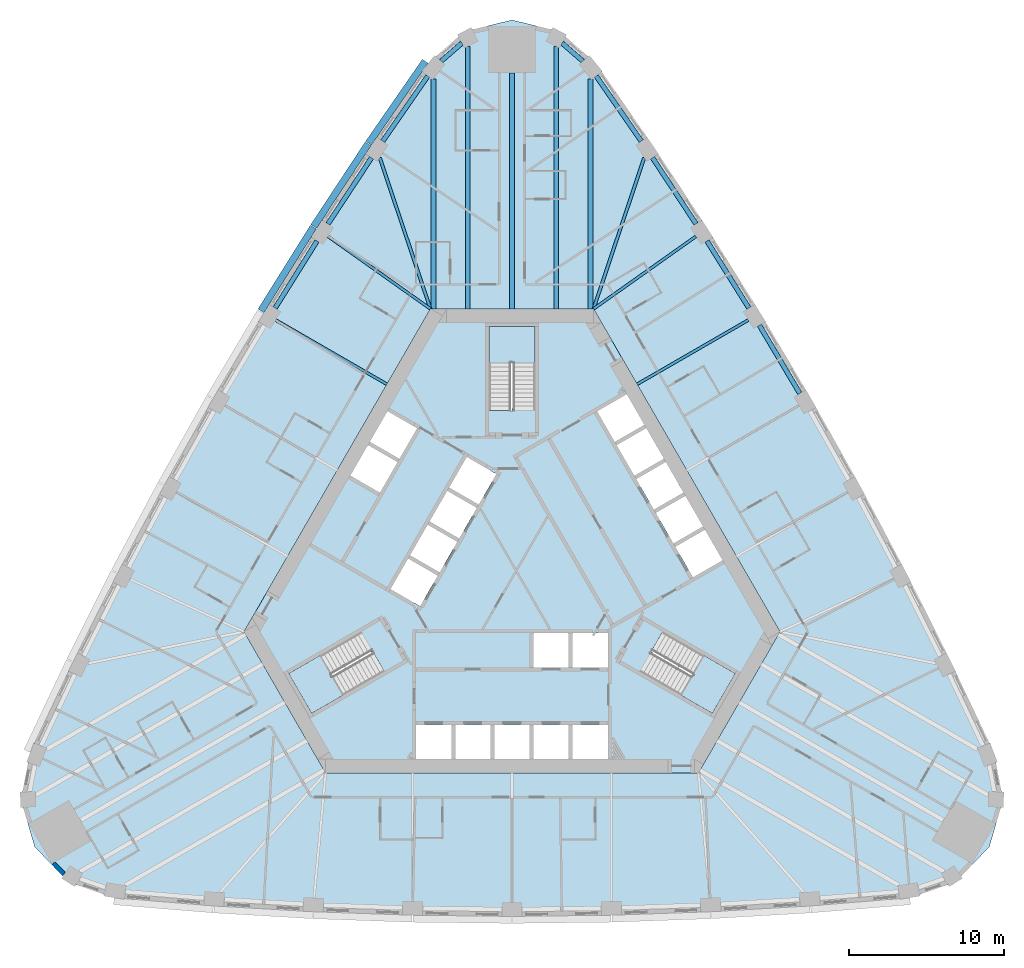
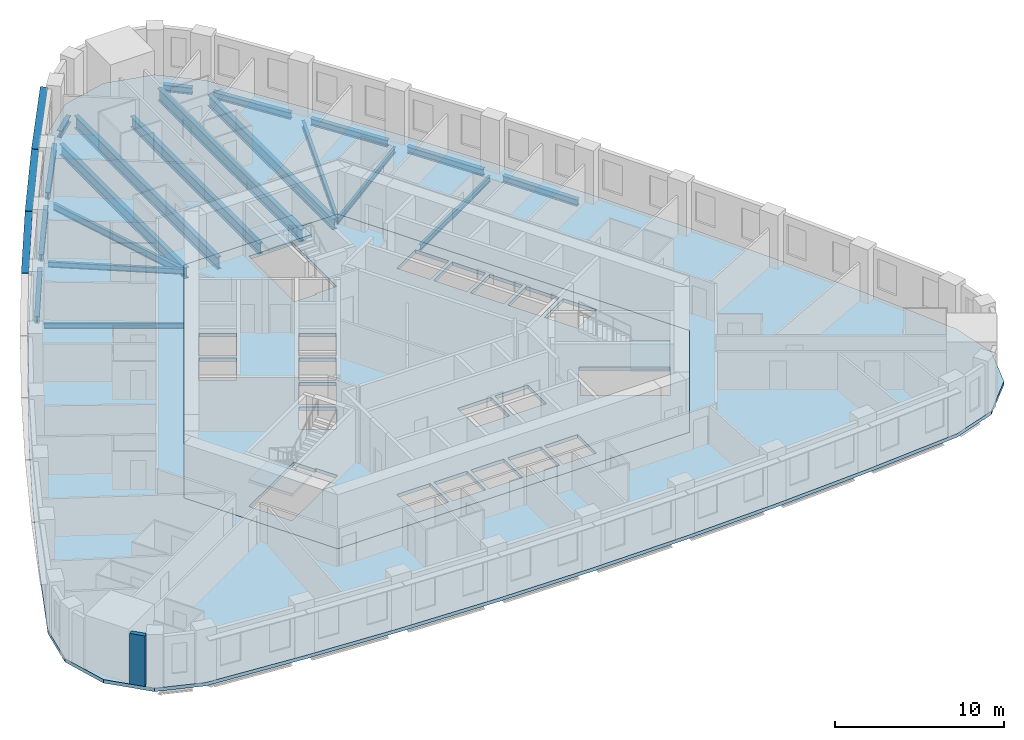
# One storey, part 2 of 13: 20 beams, 5 slabs, 3 members, 1 wall, 3 elements without a shape of their own.
"""IFC4 building model written with IfcOpenShell, lengths in metres."""

import ifcopenshell
import ifcopenshell.guid

model = None  # the IFC model being written
_history = None  # IfcOwnerHistory: only IFC2X3 demands one
_inside = {}  # id of a spatial element -> (the spatial element, [elements in it])
_under = {}  # id of a project, library or spatial element -> (it, [spatial elements below it])
_declared = {}  # id of a project -> (the project, [libraries it declares])
_typed = {}  # id of a type object -> (the type object, [elements of that type])
_made_of = {}  # id of a material, layer set ... -> (it, [elements and type objects made of it])


def new_model(schema):
    """Start an empty IFC model of exactly this schema.

    Asked for "IFC4X3", IfcOpenShell would pick the latest addendum, in which some entities
    have other attributes; the version numbers below select the first issue.
    IFC2X3 requires an IfcOwnerHistory on every rooted entity: one is made here for all.
    """
    global model, _history
    if schema == "IFC4X3":
        model = ifcopenshell.file(schema_version=(4, 3, 0, 0))
    else:
        model = ifcopenshell.file(schema=schema)
    _inside.clear()
    _under.clear()
    _declared.clear()
    _typed.clear()
    _made_of.clear()
    _history = None
    if model.schema == "IFC2X3":
        org = make("IfcOrganization", Name="unknown")
        user = make(
            "IfcPersonAndOrganization",
            ThePerson=make("IfcPerson", FamilyName="unknown"),
            TheOrganization=org,
        )
        app = make(
            "IfcApplication",
            ApplicationDeveloper=org,
            Version="unknown",
            ApplicationFullName="unknown",
            ApplicationIdentifier="unknown",
        )
        _history = make(
            "IfcOwnerHistory",
            OwningUser=user,
            OwningApplication=app,
            ChangeAction="ADDED",
            CreationDate=0,
        )
    return model


def make(cls, **values):
    """One entity of the class cls with the attributes given. An attribute that is None is left unset."""
    return model.create_entity(
        cls, **{name: value for name, value in values.items() if value is not None}
    )


def rooted(cls, **values):
    """An entity with a GlobalId (a new one), such as an element, a storey or a relation."""
    return make(cls, GlobalId=ifcopenshell.guid.new(), OwnerHistory=_history, **values)


def si_unit(unit_type, name, prefix=None):
    """IfcSIUnit, for example si_unit("LENGTHUNIT", "METRE", prefix="MILLI")."""
    return make("IfcSIUnit", UnitType=unit_type, Prefix=prefix, Name=name)


def assignment(units):
    """IfcUnitAssignment: the units of a project."""
    return None if units is None else make("IfcUnitAssignment", Units=units)


def point(xyz):
    """IfcCartesianPoint."""
    return None if xyz is None else make("IfcCartesianPoint", Coordinates=xyz)


def direction(xyz):
    """IfcDirection."""
    return None if xyz is None else make("IfcDirection", DirectionRatios=xyz)


def frame(location, z_axis=None, x_axis=None):
    """IfcAxis2Placement3D, a coordinate frame: its origin and axes. An axis left out is left unset."""
    return make(
        "IfcAxis2Placement3D",
        Location=point(location),
        Axis=direction(z_axis),
        RefDirection=direction(x_axis),
    )


def frame_2d(location, x_axis=None):
    """IfcAxis2Placement2D, a coordinate frame in the plane: its origin and x axis."""
    return make(
        "IfcAxis2Placement2D", Location=point(location), RefDirection=direction(x_axis)
    )


def origin():
    """The frame at (0, 0, 0) with its axes left unset."""
    return frame((0.0, 0.0, 0.0))


def origin_2d():
    """The frame at (0, 0) in the plane with its x axis left unset."""
    return frame_2d((0.0, 0.0))


def place(relative_to, where):
    """IfcLocalPlacement: puts the frame where relative to a parent placement (None: the world)."""
    return make(
        "IfcLocalPlacement", PlacementRelTo=relative_to, RelativePlacement=where
    )


def context(
    kind, dimensions, precision=None, world=None, true_north=None, identifier=None
):
    """IfcGeometricRepresentationContext, for example the 3D "Model" context."""
    return make(
        "IfcGeometricRepresentationContext",
        ContextIdentifier=identifier,
        ContextType=kind,
        CoordinateSpaceDimension=dimensions,
        Precision=precision,
        WorldCoordinateSystem=world,
        TrueNorth=true_north,
    )


def subcontext(parent, identifier, kind, view, scale=None):
    """IfcGeometricRepresentationSubContext, for example "Body" below "Model"."""
    return make(
        "IfcGeometricRepresentationSubContext",
        ContextIdentifier=identifier,
        ContextType=kind,
        ParentContext=parent,
        TargetScale=scale,
        TargetView=view,
    )


def project(units=None, contexts=None):
    """IfcProject with its units and contexts."""
    return rooted(
        "IfcProject",
        Name="project",
        RepresentationContexts=contexts,
        UnitsInContext=assignment(units),
    )


def spatial(cls, under=None, at=None, **own):
    """A site, building, storey or space (cls), placed at a placement, below another one or the project."""
    s = rooted(cls, ObjectPlacement=at, **own)
    if under is not None:
        _under.setdefault(under.id(), (under, []))[1].append(s)
    return s


def polyline(points):
    """IfcPolyline through the points."""
    return make("IfcPolyline", Points=[point(p) for p in points])


def profile(cls, at=None, kind="AREA", **sizes):
    """A parametric profile (cls). Its sizes go by their IFC names, for example OverallWidth=200.0."""
    return make(cls, ProfileType=kind, Position=at, **sizes)


def rectangle(**sizes):
    """IfcRectangleProfileDef."""
    return profile("IfcRectangleProfileDef", **sizes)


def i_section(**sizes):
    """IfcIShapeProfileDef."""
    return profile("IfcIShapeProfileDef", **sizes)


def outline(outer, holes=None, kind="AREA"):
    """IfcArbitraryClosedProfileDef: a profile drawn as a closed curve; with holes, ...WithVoids."""
    if holes is None:
        return make("IfcArbitraryClosedProfileDef", ProfileType=kind, OuterCurve=outer)
    return make(
        "IfcArbitraryProfileDefWithVoids",
        ProfileType=kind,
        OuterCurve=outer,
        InnerCurves=holes,
    )


def extrude(swept, where, along, depth):
    """IfcExtrudedAreaSolid: the profile swept, set in the frame where, extruded along a direction by depth."""
    return make(
        "IfcExtrudedAreaSolid",
        SweptArea=swept,
        Position=where,
        ExtrudedDirection=direction(along),
        Depth=depth,
    )


def shape(context_of_items, identifier, shape_type, items):
    """IfcShapeRepresentation: the items that make up one representation, for example the "Body"."""
    return make(
        "IfcShapeRepresentation",
        ContextOfItems=context_of_items,
        RepresentationIdentifier=identifier,
        RepresentationType=shape_type,
        Items=items,
    )


def material(Name=None, Category=None):
    """IfcMaterial."""
    return make("IfcMaterial", Name=Name, Category=Category)


def layer(
    of_material, thickness, ventilated=None, Name=None, Category=None, Priority=None
):
    """IfcMaterialLayer: one layer of a wall or slab, of a material (None: an air gap)."""
    return make(
        "IfcMaterialLayer",
        Material=of_material,
        LayerThickness=thickness,
        IsVentilated=ventilated,
        Name=Name,
        Category=Category,
        Priority=Priority,
    )


def layer_set(layers, Name=None):
    """IfcMaterialLayerSet."""
    return make("IfcMaterialLayerSet", MaterialLayers=layers, LayerSetName=Name)


def material_profile(
    of_material, cross_section, Name=None, Category=None, Priority=None
):
    """IfcMaterialProfile: a cross section and its material."""
    return make(
        "IfcMaterialProfile",
        Name=Name,
        Material=of_material,
        Profile=cross_section,
        Priority=Priority,
        Category=Category,
    )


def profile_set(profiles, Name=None, composite=None):
    """IfcMaterialProfileSet."""
    return make(
        "IfcMaterialProfileSet",
        Name=Name,
        MaterialProfiles=profiles,
        CompositeProfile=composite,
    )


def made_of(thing, what):
    """Note that an element or type object is made of a material, layer set ...; save() writes the relation."""
    if what is not None:
        _made_of.setdefault(what.id(), (what, []))[1].append(thing)
    return thing


def type_object(cls, material=None, **own):
    """A type object (cls), such as IfcWallType, which elements share."""
    return made_of(rooted(cls, **own), material)


def element(
    cls,
    number,
    at=None,
    inside=None,
    cuts=None,
    type_object=None,
    material=None,
    context=None,
    identifier="Body",
    shape_type=None,
    held_by="IfcProductDefinitionShape",
    body=None,
    shapes=None,
    **own,
):
    """One element of the class cls, such as IfcWall. Its Tag is "e" and its number.

    at: its placement. inside: the storey or other place that contains it. cuts: it is an
    opening in that element (IfcRelVoidsElement). A single representation is given by context,
    identifier, shape_type and body (its items); several are given by shapes. held_by: the class
    of the entity that holds the representations. save() writes the other relations.
    """
    e = rooted(cls, Tag="e%d" % number, ObjectPlacement=at, **own)
    if body is not None:
        shapes = [shape(context, identifier, shape_type, body)]
    if shapes is not None:
        e.Representation = make(held_by, Representations=shapes)
    if inside is not None:
        _inside.setdefault(inside.id(), (inside, []))[1].append(e)
    if cuts is not None:
        rooted(
            "IfcRelVoidsElement", RelatingBuildingElement=cuts, RelatedOpeningElement=e
        )
    if type_object is not None:
        _typed.setdefault(type_object.id(), (type_object, []))[1].append(e)
    return made_of(e, material)


def aggregate(whole, parts):
    """IfcRelAggregates: a whole, such as a stair, and the parts it consists of."""
    return rooted("IfcRelAggregates", RelatingObject=whole, RelatedObjects=parts)


def save(model, path):
    """Write the relations noted so far, then the file.

    IfcRelAggregates (storeys below a building ...), IfcRelContainedInSpatialStructure (elements
    in a storey), IfcRelDefinesByType, IfcRelAssociatesMaterial and IfcRelDeclares: one each for
    every whole, place, type object, material and project.
    """
    for whole, parts in _under.values():
        aggregate(whole, parts)
    for where, things in _inside.values():
        rooted(
            "IfcRelContainedInSpatialStructure",
            RelatedElements=things,
            RelatingStructure=where,
        )
    for kind, things in _typed.values():
        rooted("IfcRelDefinesByType", RelatedObjects=things, RelatingType=kind)
    for what, things in _made_of.values():
        rooted("IfcRelAssociatesMaterial", RelatedObjects=things, RelatingMaterial=what)
    for by, libraries in _declared.values():
        rooted("IfcRelDeclares", RelatingContext=by, RelatedDefinitions=libraries)
    model.write(path)


model = new_model("IFC4")

# Units and contexts
model_context = context("Model", 3, precision=1e-05, world=origin(), true_north=direction((0.0, 1.0)))
body_context = subcontext(model_context, "Body", "Model", "MODEL_VIEW")
ifc_project = project(units=[si_unit("LENGTHUNIT", "METRE"), si_unit("AREAUNIT", "SQUARE_METRE"), si_unit("VOLUMEUNIT", "CUBIC_METRE"), si_unit("PLANEANGLEUNIT", "RADIAN"), si_unit("MASSUNIT", "GRAM", prefix="KILO")], contexts=[model_context])

# Site, building, storey
site_placement = place(None, origin())
site = spatial("IfcSite", under=ifc_project, at=site_placement, CompositionType="ELEMENT")
building_placement = place(site_placement, origin())
building = spatial("IfcBuilding", under=site, at=building_placement, Name="Mestral Congress Tower", CompositionType="ELEMENT")
storey_placement = place(building_placement, frame((0.0, 0.0, 114.89990234375)))
storey = spatial("IfcBuildingStorey", under=building, at=storey_placement, Name="L27", CompositionType="ELEMENT", Elevation=114.89990234375)

# Members
ifc_material_1 = material(Name="Glazed ceramic", Category="masonry")
ifc_material_profile_1 = material_profile(ifc_material_1, rectangle(XDim=0.449951171875, YDim=0.06005859375, at=origin_2d()), Name="Ceramic blade 450 x 60")
ifc_profile_set_1 = profile_set([ifc_material_profile_1], Name="Glazed ceramic")
member_type = type_object("IfcMemberType", Name="Facade sunshade blade 450 x 60", PredefinedType="USERDEFINED", material=ifc_profile_set_1)
member_placement = place(storey_placement, frame((-5.590576171875, 32.8505859375, 3.280029296875), z_axis=(-0.569144736399, -0.822237355652, 0.0), x_axis=(0.822237355652, -0.569144736399, 0.0)))
element("IfcMember", 1, at=member_placement, inside=storey, type_object=member_type, Name="Sunshade F2-00", ObjectType="SUNSHADE", PredefinedType="USERDEFINED", context=body_context, shape_type="SweptSolid", body=[
    extrude(rectangle(XDim=0.449951171875, YDim=0.06005859375, at=origin_2d()), origin(), (0.0, 0.0, 1.0), 6.421630859375),
])
for number, where, z_axis, x_axis, name in (
    (2, (-9.2705078125, 27.532958984375, 3.280029296875), (-0.549764307833, -0.835319822483, 0.0), (0.835319822483, -0.549764307833, 0.0), "Sunshade F2-01"),
    (3, (-12.797119140625, 22.173583984375, 3.280029296875), (-0.530060946156, -0.847959547007, 0.0), (0.847959547007, -0.530060946156, 0.0), "Sunshade F2-02"),
):
    element("IfcMember", number, at=place(storey_placement, frame(where, z_axis=z_axis, x_axis=x_axis)), inside=storey, type_object=member_type, Name=name, ObjectType="SUNSHADE", PredefinedType="USERDEFINED", context=body_context, shape_type="SweptSolid", body=[
        extrude(rectangle(XDim=0.449951171875, YDim=0.06005859375, at=origin_2d()), origin(), (0.0, 0.0, 1.0), 6.370361328125),
    ])

# Beams
ifc_material_2 = material(Name="Steel S355", Category="steel")
ifc_material_profile_2 = material_profile(ifc_material_2, i_section(OverallWidth=0.300048828125, OverallDepth=0.800048828125, WebThickness=0.017578125, FlangeThickness=0.032958984375, FilletRadius=0.030029296875, at=origin_2d()), Name="HEB 800")
ifc_profile_set_2 = profile_set([ifc_material_profile_2], Name="Steel S355")
beam_type_1 = type_object("IfcBeamType", Name="Floor beam HEB 800 S355", PredefinedType="BEAM", material=ifc_profile_set_2)
beam_1_placement = place(storey_placement, frame((5.056396484375, 31.72412109375, -0.64990234375), z_axis=(0.0, -1.0, 0.0), x_axis=(1.0, 0.0, 0.0)))
element("IfcBeam", 4, at=beam_1_placement, inside=storey, type_object=beam_type_1, Name="BM-L27-RB2-E08", PredefinedType="BEAM", context=body_context, shape_type="SweptSolid", body=[
    extrude(i_section(OverallWidth=0.300048828125, OverallDepth=0.800048828125, WebThickness=0.017578125, FlangeThickness=0.032958984375, FilletRadius=0.030029296875, at=origin_2d()), origin(), (0.0, 0.0, 1.0), 14.82421875),
])
beam_2_placement = place(storey_placement, frame((0.0, 32.098388671875, -0.64990234375), z_axis=(0.0, -1.0, 0.0), x_axis=(1.0, 0.0, 0.0)))
element("IfcBeam", 5, at=beam_2_placement, inside=storey, type_object=beam_type_1, Name="BM-L27-RB2-N", PredefinedType="BEAM", context=body_context, shape_type="SweptSolid", body=[
    extrude(i_section(OverallWidth=0.300048828125, OverallDepth=0.800048828125, WebThickness=0.017578125, FlangeThickness=0.032958984375, FilletRadius=0.030029296875, at=origin_2d()), origin(), (0.0, 0.0, 1.0), 15.198486328125),
])
beam_3_placement = place(storey_placement, frame((-5.056396484375, 31.72412109375, -0.64990234375), z_axis=(0.0, -1.0, 0.0), x_axis=(1.0, 0.0, 0.0)))
element("IfcBeam", 6, at=beam_3_placement, inside=storey, type_object=beam_type_1, Name="BM-L27-RB2-W00", PredefinedType="BEAM", context=body_context, shape_type="SweptSolid", body=[
    extrude(i_section(OverallWidth=0.300048828125, OverallDepth=0.800048828125, WebThickness=0.017578125, FlangeThickness=0.032958984375, FilletRadius=0.030029296875, at=origin_2d()), origin(), (0.0, 0.0, 1.0), 14.82421875),
])
ifc_material_profile_3 = material_profile(ifc_material_2, i_section(OverallWidth=0.300048828125, OverallDepth=0.89990234375, WebThickness=0.0185546875, FlangeThickness=0.034912109375, FilletRadius=0.030029296875, at=origin_2d()), Name="HEB 900")
ifc_profile_set_3 = profile_set([ifc_material_profile_3], Name="Steel S355")
beam_type_2 = type_object("IfcBeamType", Name="Floor beam HEB 900 S355", PredefinedType="BEAM", material=ifc_profile_set_3)
for number, where, z_axis, x_axis, name in (
    (7, (2.845703125, 33.794189453125, -0.699951171875), (0.0, -1.0, 0.0), (1.0, 0.0, 0.0), "BM-L27-RB2-N1"),
    (8, (-2.845703125, 33.794189453125, -0.699951171875), (0.0, -1.0, 0.0), (1.0, 0.0, 0.0), "BM-L27-RB2-N3"),
):
    element("IfcBeam", number, at=place(storey_placement, frame(where, z_axis=z_axis, x_axis=x_axis)), inside=storey, type_object=beam_type_2, Name=name, PredefinedType="BEAM", context=body_context, shape_type="SweptSolid", body=[
        extrude(i_section(OverallWidth=0.300048828125, OverallDepth=0.89990234375, WebThickness=0.0185546875, FlangeThickness=0.034912109375, FilletRadius=0.030029296875, at=origin_2d()), origin(), (0.0, 0.0, 1.0), 16.894287109375),
    ])
ifc_material_profile_4 = material_profile(ifc_material_2, i_section(OverallWidth=0.179931640625, OverallDepth=0.39990234375, WebThickness=0.008544921875, FlangeThickness=0.013427734375, FilletRadius=0.02099609375, at=origin_2d()), Name="IPE 400")
ifc_profile_set_4 = profile_set([ifc_material_profile_4], Name="Steel S355")
beam_type_3 = type_object("IfcBeamType", Name="Floor beam IPE 400 S355", PredefinedType="BEAM", material=ifc_profile_set_4)
beam_4_placement = place(storey_placement, frame((15.219482421875, 16.176513671875, -0.449951171875), z_axis=(-0.866015952286, -0.500016370119, 0.0), x_axis=(0.500016370119, -0.866015952286, 0.0)))
element("IfcBeam", 9, at=beam_4_placement, inside=storey, type_object=beam_type_3, Name="BM-L27-RB2-E05", PredefinedType="BEAM", context=body_context, shape_type="SweptSolid", body=[
    extrude(i_section(OverallWidth=0.179931640625, OverallDepth=0.39990234375, WebThickness=0.008544921875, FlangeThickness=0.013427734375, FilletRadius=0.02099609375, at=origin_2d()), origin(), (0.0, 0.0, 1.0), 8.268798828125),
])
for number, where, z_axis, x_axis, name in (
    (10, (11.849365234375, 21.568115234375, -0.449951171875), (-0.816232852676, -0.577723056673, 0.0), (0.577723056673, -0.816232852676, 0.0), "BM-L27-RB2-E06"),
    (11, (-11.849365234375, 21.568115234375, -0.449951171875), (0.816232852676, -0.577723056673, 0.0), (0.577723056673, 0.816232852676, 0.0), "BM-L27-RB2-W02"),
):
    element("IfcBeam", number, at=place(storey_placement, frame(where, z_axis=z_axis, x_axis=x_axis)), inside=storey, type_object=beam_type_3, Name=name, PredefinedType="BEAM", context=body_context, shape_type="SweptSolid", body=[
        extrude(i_section(OverallWidth=0.179931640625, OverallDepth=0.39990234375, WebThickness=0.008544921875, FlangeThickness=0.013427734375, FilletRadius=0.02099609375, at=origin_2d()), origin(), (0.0, 0.0, 1.0), 8.080322265625),
    ])
beam_5_placement = place(storey_placement, frame((-15.219482421875, 16.176513671875, -0.449951171875), z_axis=(0.866015952286, -0.500016370119, 0.0), x_axis=(0.500016370119, 0.866015952286, 0.0)))
element("IfcBeam", 12, at=beam_5_placement, inside=storey, type_object=beam_type_3, Name="BM-L27-RB2-W03", PredefinedType="BEAM", context=body_context, shape_type="SweptSolid", body=[
    extrude(i_section(OverallWidth=0.179931640625, OverallDepth=0.39990234375, WebThickness=0.008544921875, FlangeThickness=0.013427734375, FilletRadius=0.02099609375, at=origin_2d()), origin(), (0.0, 0.0, 1.0), 8.268798828125),
])
ifc_material_profile_5 = material_profile(ifc_material_2, i_section(OverallWidth=0.199951171875, OverallDepth=0.5, WebThickness=0.01025390625, FlangeThickness=0.01611328125, FilletRadius=0.02099609375, at=origin_2d()), Name="IPE 500")
ifc_profile_set_5 = profile_set([ifc_material_profile_5], Name="Steel S355")
beam_type_4 = type_object("IfcBeamType", Name="Floor beam IPE 500 S355", PredefinedType="BEAM", material=ifc_profile_set_5)
for number, where, z_axis, x_axis, name in (
    (13, (8.5185546875, 26.636962890625, -0.5), (-0.317888994992, -0.948127938025, 0.0), (0.948127938025, -0.317888994992, 0.0), "BM-L27-RB2-E07"),
    (14, (-8.5185546875, 26.636962890625, -0.5), (0.317888994992, -0.948127938025, 0.0), (0.948127938025, 0.317888994992, 0.0), "BM-L27-RB2-W01"),
):
    element("IfcBeam", number, at=place(storey_placement, frame(where, z_axis=z_axis, x_axis=x_axis)), inside=storey, type_object=beam_type_4, Name=name, PredefinedType="BEAM", context=body_context, shape_type="SweptSolid", body=[
        extrude(i_section(OverallWidth=0.199951171875, OverallDepth=0.5, WebThickness=0.01025390625, FlangeThickness=0.01611328125, FilletRadius=0.02099609375, at=origin_2d()), origin(), (0.0, 0.0, 1.0), 10.269775390625),
    ])
ifc_material_profile_6 = material_profile(ifc_material_2, i_section(OverallWidth=0.300048828125, OverallDepth=0.489990234375, WebThickness=0.011962890625, FlangeThickness=0.02294921875, FilletRadius=0.027099609375, at=origin_2d()), Name="HEA 500")
ifc_profile_set_6 = profile_set([ifc_material_profile_6], Name="Steel S355")
beam_type_5 = type_object("IfcBeamType", Name="Spandrel beam HEA 500 S355", PredefinedType="BEAM", material=ifc_profile_set_6)
for number, where, z_axis, x_axis, name in (
    (15, (18.542236328125, 11.455810546875, -0.494873046875), (-0.510081870963, 0.860125854114, 0.0), (-0.860125854114, -0.510081870963, 0.0), "SP-L27-SB2-E04"),
    (16, (15.2646484375, 16.95263671875, -0.494873046875), (-0.530046273959, 0.847968718446, 0.0), (-0.847968718446, -0.530046273959, 0.0), "SP-L27-SB2-E05"),
):
    element("IfcBeam", number, at=place(storey_placement, frame(where, z_axis=z_axis, x_axis=x_axis)), inside=storey, type_object=beam_type_5, Name=name, PredefinedType="BEAM", context=body_context, shape_type="SweptSolid", body=[
        extrude(i_section(OverallWidth=0.300048828125, OverallDepth=0.489990234375, WebThickness=0.011962890625, FlangeThickness=0.02294921875, FilletRadius=0.027099609375, at=origin_2d()), origin(), (0.0, 0.0, 1.0), 5.099853515625),
    ])
beam_6_placement = place(storey_placement, frame((11.859619140625, 22.371337890625, -0.494873046875), z_axis=(-0.549729920898, 0.835342453171, 0.0), x_axis=(-0.835342453171, -0.549729920898, 0.0)))
element("IfcBeam", 17, at=beam_6_placement, inside=storey, type_object=beam_type_5, Name="SP-L27-SB2-E06", PredefinedType="BEAM", context=body_context, shape_type="SweptSolid", body=[
    extrude(i_section(OverallWidth=0.300048828125, OverallDepth=0.489990234375, WebThickness=0.011962890625, FlangeThickness=0.02294921875, FilletRadius=0.027099609375, at=origin_2d()), origin(), (0.0, 0.0, 1.0), 5.099609375),
])
beam_7_placement = place(storey_placement, frame((8.32861328125, 27.708740234375, -0.494873046875), z_axis=(-0.569105377225, 0.822264598298, 0.0), x_axis=(-0.822264598298, -0.569105377225, 0.0)))
element("IfcBeam", 18, at=beam_7_placement, inside=storey, type_object=beam_type_5, Name="SP-L27-SB2-E07", PredefinedType="BEAM", context=body_context, shape_type="SweptSolid", body=[
    extrude(i_section(OverallWidth=0.300048828125, OverallDepth=0.489990234375, WebThickness=0.011962890625, FlangeThickness=0.02294921875, FilletRadius=0.027099609375, at=origin_2d()), origin(), (0.0, 0.0, 1.0), 5.09765625),
])
for number, where, z_axis, x_axis, name in (
    (19, (4.558349609375, 32.869140625, -0.494873046875), (-0.754917058401, 0.655820276398, 0.0), (-0.655820276398, -0.754917058401, 0.0), "SP-L27-SB2-E08"),
    (20, (-3.234130859375, 34.01953125, -0.494873046875), (-0.754917058401, -0.655820276398, 0.0), (0.655820276398, -0.754917058401, 0.0), "SP-L27-SB2-N3"),
):
    element("IfcBeam", number, at=place(storey_placement, frame(where, z_axis=z_axis, x_axis=x_axis)), inside=storey, type_object=beam_type_5, Name=name, PredefinedType="BEAM", context=body_context, shape_type="SweptSolid", body=[
        extrude(i_section(OverallWidth=0.300048828125, OverallDepth=0.489990234375, WebThickness=0.011962890625, FlangeThickness=0.02294921875, FilletRadius=0.027099609375, at=origin_2d()), origin(), (0.0, 0.0, 1.0), 1.754150390625),
    ])
beam_8_placement = place(storey_placement, frame((-5.427490234375, 31.900390625, -0.494873046875), z_axis=(-0.569105377225, -0.822264598298, 0.0), x_axis=(0.822264598298, -0.569105377225, 0.0)))
element("IfcBeam", 21, at=beam_8_placement, inside=storey, type_object=beam_type_5, Name="SP-L27-SB2-W00", PredefinedType="BEAM", context=body_context, shape_type="SweptSolid", body=[
    extrude(i_section(OverallWidth=0.300048828125, OverallDepth=0.489990234375, WebThickness=0.011962890625, FlangeThickness=0.02294921875, FilletRadius=0.027099609375, at=origin_2d()), origin(), (0.0, 0.0, 1.0), 5.09765625),
])
beam_9_placement = place(storey_placement, frame((-9.05615234375, 26.63134765625, -0.494873046875), z_axis=(-0.549729920898, -0.835342453171, 0.0), x_axis=(0.835342453171, -0.549729920898, 0.0)))
element("IfcBeam", 22, at=beam_9_placement, inside=storey, type_object=beam_type_5, Name="SP-L27-SB2-W01", PredefinedType="BEAM", context=body_context, shape_type="SweptSolid", body=[
    extrude(i_section(OverallWidth=0.300048828125, OverallDepth=0.489990234375, WebThickness=0.011962890625, FlangeThickness=0.02294921875, FilletRadius=0.027099609375, at=origin_2d()), origin(), (0.0, 0.0, 1.0), 5.099609375),
])
beam_10_placement = place(storey_placement, frame((-12.5615234375, 21.277099609375, -0.494873046875), z_axis=(-0.530046273959, -0.847968718446, 0.0), x_axis=(0.847968718446, -0.530046273959, 0.0)))
element("IfcBeam", 23, at=beam_10_placement, inside=storey, type_object=beam_type_5, Name="SP-L27-SB2-W02", PredefinedType="BEAM", context=body_context, shape_type="SweptSolid", body=[
    extrude(i_section(OverallWidth=0.300048828125, OverallDepth=0.489990234375, WebThickness=0.011962890625, FlangeThickness=0.02294921875, FilletRadius=0.027099609375, at=origin_2d()), origin(), (0.0, 0.0, 1.0), 5.099853515625),
])

# Slabs
ifc_material_3 = material(Name="Concrete C35/45", Category="concrete")
ifc_layer_1 = layer(ifc_material_3, 0.25)
ifc_layer_set_1 = layer_set([ifc_layer_1], Name="Concrete C35/45")
slab_type_1 = type_object("IfcSlabType", Name="Composite floor slab 250", PredefinedType="FLOOR", material=ifc_layer_set_1)
placement_1 = place(storey_placement, frame((0.0, 0.0, -0.25)))
element("IfcSlab", 24, at=placement_1, inside=storey, type_object=slab_type_1, Name="SL-L27", PredefinedType="FLOOR", context=body_context, shape_type="SweptSolid", body=[
    extrude(outline(polyline([(-25.656005859375, -21.041015625), (-28.581298828125, -20.03271484375), (-30.75390625, -17.755859375), (-31.639404296875, -14.73583984375), (-31.050048828125, -11.697998046875), (-28.28759765625, -5.856689453125), (-25.412109375, -0.12744140625), (-22.403564453125, 5.533203125), (-19.263671875, 11.121826171875), (-15.99365234375, 16.635498046875), (-12.595703125, 22.0712890625), (-9.07177734375, 27.426025390625), (-5.39404296875, 32.739013671875), (-3.05810546875, 34.768310546875), (0.0, 35.51171875), (3.05810546875, 34.768310546875), (5.39404296875, 32.739013671875), (9.07177734375, 27.426025390625), (12.595703125, 22.0712890625), (15.99365234375, 16.635498046875), (19.263671875, 11.121826171875), (22.403564453125, 5.533203125), (25.412109375, -0.12744140625), (28.28759765625, -5.856689453125), (31.050048828125, -11.697998046875), (31.639404296875, -14.73583984375), (30.75390625, -17.755859375), (28.581298828125, -20.03271484375), (25.656005859375, -21.041015625), (19.2158203125, -21.5693359375), (12.81640625, -21.94384765625), (6.409912109375, -22.168701171875), (0.0, -22.24365234375), (-6.409912109375, -22.168701171875), (-12.81640625, -21.94384765625), (-19.2158203125, -21.5693359375), (-25.656005859375, -21.041015625)]), holes=[polyline([(-5.25390625, 16.89990234375), (-17.2626953125, -3.89990234375), (-12.0087890625, -13.0), (12.0087890625, -13.0), (17.2626953125, -3.89990234375), (5.25390625, 16.89990234375), (-5.25390625, 16.89990234375)])]), origin(), (0.0, 0.0, 1.0), 0.25),
])
ifc_material_4 = material(Name="Concrete C60/75", Category="concrete")
ifc_layer_2 = layer(ifc_material_4, 0.25)
ifc_layer_set_2 = layer_set([ifc_layer_2], Name="Concrete C60/75")
slab_type_2 = type_object("IfcSlabType", Name="Core floor slab RC 250", PredefinedType="FLOOR", material=ifc_layer_set_2)
element("IfcSlab", 25, at=placement_1, inside=storey, type_object=slab_type_2, Name="L27 core floor", PredefinedType="FLOOR", context=body_context, shape_type="SweptSolid", body=[
    extrude(outline(polyline([(12.0087890625, -13.0), (-12.0087890625, -13.0), (-17.2626953125, -3.89990234375), (-5.25390625, 16.89990234375), (5.25390625, 16.89990234375), (17.2626953125, -3.89990234375), (12.0087890625, -13.0)]), holes=[polyline([(-3.905029296875, -9.89990234375), (-6.175048828125, -9.89990234375), (-6.175048828125, -12.10009765625), (-3.905029296875, -12.10009765625), (-3.905029296875, -9.89990234375)]), polyline([(-1.385009765625, -9.89990234375), (-3.655029296875, -9.89990234375), (-3.655029296875, -12.10009765625), (-1.385009765625, -12.10009765625), (-1.385009765625, -9.89990234375)]), polyline([(1.135009765625, -9.89990234375), (-1.135009765625, -9.89990234375), (-1.135009765625, -12.10009765625), (1.135009765625, -12.10009765625), (1.135009765625, -9.89990234375)]), polyline([(-9.0673828125, -5.235107421875), (-9.8046875, -3.95751953125), (-14.37744140625, -6.59765625), (-12.90234375, -9.15234375), (-8.234619140625, -6.45751953125), (-8.971923828125, -5.179931640625), (-9.0673828125, -5.235107421875)]), polyline([(-7.826904296875, -1.156494140625), (-5.921630859375, -2.256591796875), (-4.78662109375, -0.29052734375), (-6.69189453125, 0.809326171875), (-7.826904296875, -1.156494140625)]), polyline([(-4.66162109375, -0.07421875), (-3.526611328125, 1.8916015625), (-5.431884765625, 2.99169921875), (-6.56689453125, 1.02587890625), (-4.66162109375, -0.07421875)]), polyline([(-3.401611328125, 2.1083984375), (-2.2666015625, 4.07421875), (-4.171875, 5.174072265625), (-5.306884765625, 3.208251953125), (-3.401611328125, 2.1083984375)]), polyline([(-2.1416015625, 4.29052734375), (-1.006591796875, 6.256591796875), (-2.911865234375, 7.3564453125), (-4.046875, 5.390625), (-2.1416015625, 4.29052734375)]), polyline([(-10.41650390625, 6.158203125), (-8.51123046875, 5.058349609375), (-7.376220703125, 7.024169921875), (-9.281494140625, 8.1240234375), (-10.41650390625, 6.158203125)]), polyline([(-9.156494140625, 8.340576171875), (-7.251220703125, 7.240478515625), (-6.1162109375, 9.20654296875), (-8.021484375, 10.306396484375), (-9.156494140625, 8.340576171875)]), polyline([(1.47509765625, 10.469970703125), (1.47509765625, 15.75), (-1.47509765625, 15.75), (-1.47509765625, 10.360107421875), (0.0, 10.360107421875), (0.0, 10.469970703125), (1.47509765625, 10.469970703125)]), polyline([(3.655029296875, -9.89990234375), (1.385009765625, -9.89990234375), (1.385009765625, -12.10009765625), (3.655029296875, -12.10009765625), (3.655029296875, -9.89990234375)]), polyline([(6.175048828125, -9.89990234375), (3.905029296875, -9.89990234375), (3.905029296875, -12.10009765625), (6.175048828125, -12.10009765625), (6.175048828125, -9.89990234375)]), polyline([(9.0673828125, -5.235107421875), (8.329833984375, -6.512451171875), (12.90234375, -9.15234375), (14.37744140625, -6.59765625), (9.70947265625, -3.902587890625), (8.971923828125, -5.179931640625), (9.0673828125, -5.235107421875)]), polyline([(3.655029296875, -6.199951171875), (3.655029296875, -4.0), (1.385009765625, -4.0), (1.385009765625, -6.199951171875), (3.655029296875, -6.199951171875)]), polyline([(6.175048828125, -4.0), (3.905029296875, -4.0), (3.905029296875, -6.199951171875), (6.175048828125, -6.199951171875), (6.175048828125, -4.0)]), polyline([(12.431396484375, 2.668212890625), (10.526123046875, 1.568115234375), (11.6611328125, -0.397705078125), (13.56640625, 0.702392578125), (12.431396484375, 2.668212890625)]), polyline([(11.17138671875, 4.8505859375), (9.26611328125, 3.75048828125), (10.401123046875, 1.78466796875), (12.306396484375, 2.884765625), (11.17138671875, 4.8505859375)]), polyline([(8.006103515625, 5.932861328125), (9.14111328125, 3.967041015625), (11.04638671875, 5.067138671875), (9.911376953125, 7.032958984375), (8.006103515625, 5.932861328125)]), polyline([(8.6513671875, 9.21533203125), (6.74609375, 8.115234375), (7.881103515625, 6.1494140625), (9.786376953125, 7.24951171875), (8.6513671875, 9.21533203125)]), polyline([(7.391357421875, 11.397705078125), (5.486083984375, 10.297607421875), (6.62109375, 8.331787109375), (8.5263671875, 9.431884765625), (7.391357421875, 11.397705078125)])]), origin(), (0.0, 0.0, 1.0), 0.25),
])

# Stair, slab
stair_type = type_object("IfcStairType", Name="Exit stair 1400", PredefinedType="HALF_TURN_STAIR", material=ifc_material_4)
placement_2 = place(storey_placement, origin())
stair_1 = element("IfcStair", 26, at=placement_2, inside=storey, type_object=stair_type, Name="L27 ST1", PredefinedType="HALF_TURN_STAIR")
ifc_layer_3 = layer(ifc_material_4, 0.199951171875)
ifc_layer_set_3 = layer_set([ifc_layer_3], Name="Concrete C60/75")
slab_type_3 = type_object("IfcSlabType", Name="Exit stair landing 200", PredefinedType="LANDING", material=ifc_layer_set_3)
placement_3 = place(storey_placement, frame((0.0, 0.0, 1.75)))
slab_3 = element("IfcSlab", 27, at=placement_3, type_object=slab_type_3, Name="ST1 landing 1", PredefinedType="LANDING", context=body_context, shape_type="SweptSolid", body=[
    extrude(outline(polyline([(10.879638671875, -7.99609375), (12.364501953125, -5.424072265625), (14.39111328125, -6.593994140625), (12.906005859375, -9.166015625), (10.879638671875, -7.99609375)])), origin(), (0.0, 0.0, 1.0), 0.2001953125),
])
aggregate(stair_1, [slab_3])

stair_2 = element("IfcStair", 28, at=placement_2, inside=storey, type_object=stair_type, Name="L27 ST2", PredefinedType="HALF_TURN_STAIR")
slab_4 = element("IfcSlab", 29, at=placement_3, type_object=slab_type_3, Name="ST2 landing 1", PredefinedType="LANDING", context=body_context, shape_type="SweptSolid", body=[
    extrude(outline(polyline([(1.485107421875, 13.419921875), (-1.485107421875, 13.419921875), (-1.485107421875, 15.760009765625), (1.485107421875, 15.760009765625), (1.485107421875, 13.419921875)])), origin(), (0.0, 0.0, 1.0), 0.2001953125),
])
aggregate(stair_2, [slab_4])

stair_3 = element("IfcStair", 30, at=placement_2, inside=storey, type_object=stair_type, Name="L27 ST3", PredefinedType="HALF_TURN_STAIR")
slab_5 = element("IfcSlab", 31, at=placement_3, type_object=slab_type_3, Name="ST3 landing 1", PredefinedType="LANDING", context=body_context, shape_type="SweptSolid", body=[
    extrude(outline(polyline([(-12.364501953125, -5.424072265625), (-10.879638671875, -7.99609375), (-12.906005859375, -9.166015625), (-14.39111328125, -6.593994140625), (-12.364501953125, -5.424072265625)])), origin(), (0.0, 0.0, 1.0), 0.2001953125),
])
aggregate(stair_3, [slab_5])

# Wall
ifc_material_5 = material(Name="Precast concrete C40/50 with limestone facing", Category="masonry")
ifc_layer_4 = layer(ifc_material_5, 0.2900390625)
ifc_layer_set_4 = layer_set([ifc_layer_4], Name="Precast concrete C40/50 with limestone facing")
wall_type = type_object("IfcWallType", Name="Facade stone wall 290", PredefinedType="SOLIDWALL", material=ifc_layer_set_4)
wall_placement = place(storey_placement, frame((-29.5341796875, -18.82421875, 0.0), z_axis=(0.0, 0.0, 1.0), x_axis=(0.690414427296, -0.723414071319, 0.0)))
element("IfcWall", 32, at=wall_placement, inside=storey, type_object=wall_type, Name="Facade wall K2-2", PredefinedType="SOLIDWALL", context=body_context, shape_type="SweptSolid", body=[
    extrude(rectangle(XDim=0.947021484375, YDim=0.2900390625, at=frame_2d((0.4736328125, 0.0))), origin(), (0.0, 0.0, 1.0), 3.650146484375),
])

save(model, "model.ifc")
